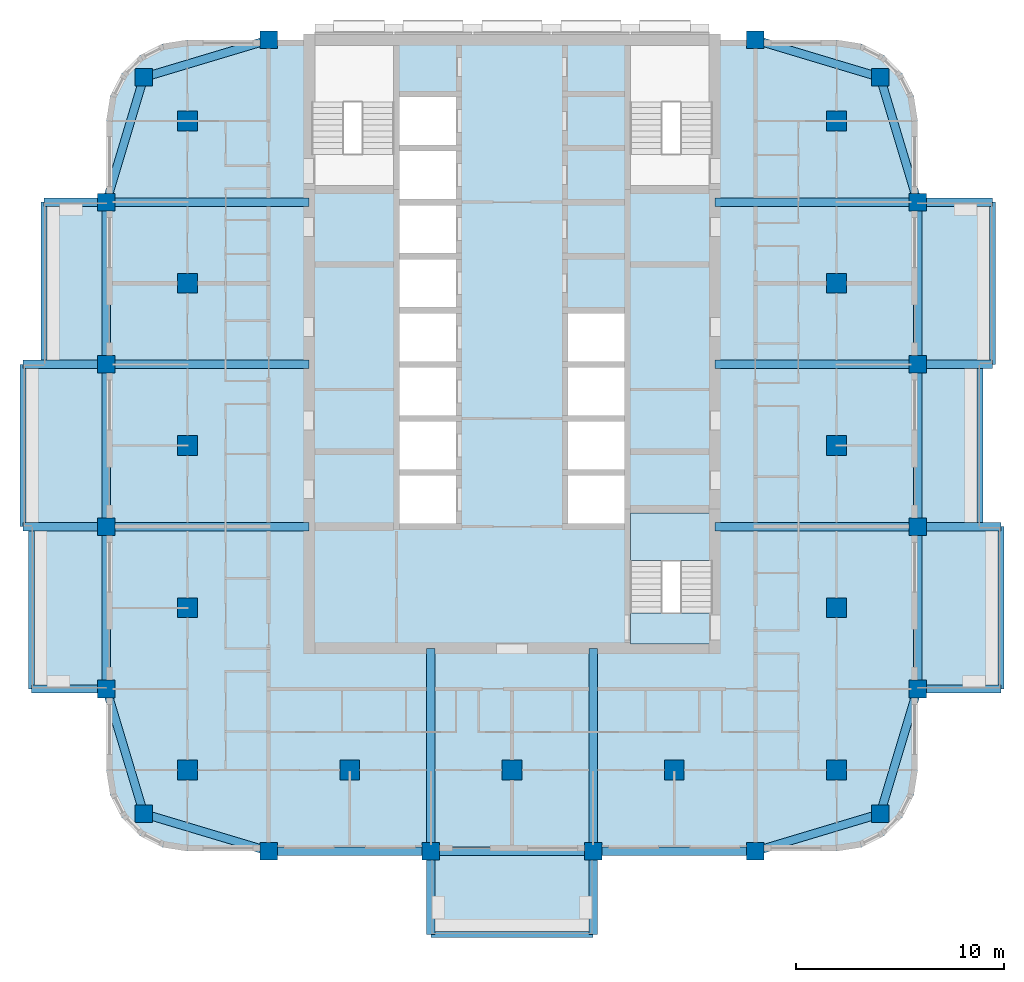
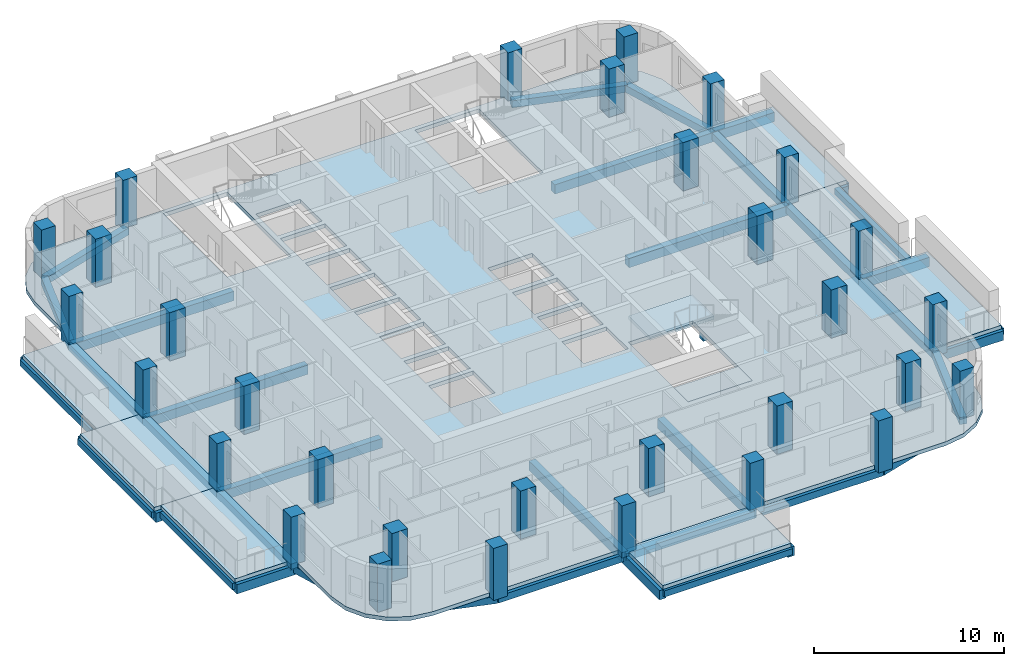
# One storey, part 1 of 14: 42 beams, 31 columns, 10 slabs, 1 element without a shape of its own.
"""IFC4 building model written with IfcOpenShell, lengths in metres."""

from ifc_helpers import new_model, si_unit, direction, frame, origin, origin_2d, place, context, subcontext, project, spatial, polyline, rectangle, outline, extrude, material, layer, layer_set, material_profile, profile_set, type_object, element, aggregate, save


model = new_model("IFC4")

# Units and contexts
model_context = context("Model", 3, precision=1e-05, world=origin(), true_north=direction((0.0, 1.0)))
body_context = subcontext(model_context, "Body", "Model", "MODEL_VIEW")
ifc_project = project(units=[si_unit("LENGTHUNIT", "METRE"), si_unit("AREAUNIT", "SQUARE_METRE"), si_unit("VOLUMEUNIT", "CUBIC_METRE"), si_unit("PLANEANGLEUNIT", "RADIAN"), si_unit("MASSUNIT", "GRAM", prefix="KILO")], contexts=[model_context])

# Site, building, storey
site_placement = place(None, origin())
site = spatial("IfcSite", under=ifc_project, at=site_placement, CompositionType="ELEMENT")
building_placement = place(site_placement, origin())
building = spatial("IfcBuilding", under=site, at=building_placement, Name="Ludao Terraces", CompositionType="ELEMENT")
storey_placement = place(building_placement, frame((0.0, 0.0, 113.5)))
storey = spatial("IfcBuildingStorey", under=building, at=storey_placement, Name="L31", CompositionType="ELEMENT", Elevation=113.5)

# Columns
ifc_material_1 = material(Name="Concrete C50", Category="concrete")
ifc_material_profile_1 = material_profile(ifc_material_1, rectangle(XDim=0.85009765625, YDim=0.85009765625, at=origin_2d()), Name="850 X 850")
ifc_profile_set_1 = profile_set([ifc_material_profile_1], Name="Concrete C50")
column_type_1 = type_object("IfcColumnType", Name="RC column 850x850 C50", PredefinedType="COLUMN", material=ifc_profile_set_1)
for number, where, z_axis, x_axis, name in (
    (1, (67.300048828125, 47.300048828125, -0.25), (0.0, 0.0, 1.0), (1.0, 0.0, 0.0), "Column L31 C0057x0057"),
    (2, (102.699951171875, 47.300048828125, -0.25), (0.0, 0.0, 1.0), (1.0, 0.0, 0.0), "Column L31 C0411x0057"),
    (3, (67.300048828125, 82.699951171875, -0.25), (0.0, 0.0, 1.0), (1.0, 0.0, 0.0), "Column L31 C0057x0411"),
    (4, (102.699951171875, 82.699951171875, -0.25), (0.0, 0.0, 1.0), (1.0, 0.0, 0.0), "Column L31 C0411x0411"),
    (5, (65.5, 53.300048828125, -0.25), (0.0, 0.0, 1.0), (1.0, 0.0, 0.0), "Column L31 W0039x0117"),
    (6, (104.5, 53.300048828125, -0.25), (0.0, 0.0, 1.0), (1.0, 0.0, 0.0), "Column L31 W0429x0117"),
    (7, (73.300048828125, 45.5, -0.25), (0.0, 0.0, 1.0), (1.0, 0.0, 0.0), "Column L31 W0117x0039"),
    (8, (73.300048828125, 84.5, -0.25), (0.0, 0.0, 1.0), (1.0, 0.0, 0.0), "Column L31 W0117x0429"),
    (9, (65.5, 61.10009765625, -0.25), (0.0, 0.0, 1.0), (1.0, 0.0, 0.0), "Column L31 W0039x0195"),
    (10, (104.5, 61.10009765625, -0.25), (0.0, 0.0, 1.0), (1.0, 0.0, 0.0), "Column L31 W0429x0195"),
    (11, (81.10009765625, 45.5, -0.25), (0.0, 0.0, 1.0), (1.0, 0.0, 0.0), "Column L31 W0195x0039"),
    (12, (65.5, 68.89990234375, -0.25), (0.0, 0.0, 1.0), (1.0, 0.0, 0.0), "Column L31 W0039x0273"),
    (13, (104.5, 68.89990234375, -0.25), (0.0, 0.0, 1.0), (1.0, 0.0, 0.0), "Column L31 W0429x0273"),
    (14, (88.89990234375, 45.5, -0.25), (0.0, 0.0, 1.0), (1.0, 0.0, 0.0), "Column L31 W0273x0039"),
    (15, (65.5, 76.699951171875, -0.25), (0.0, 0.0, 1.0), (1.0, 0.0, 0.0), "Column L31 W0039x0351"),
    (16, (104.5, 76.699951171875, -0.25), (0.0, 0.0, 1.0), (1.0, 0.0, 0.0), "Column L31 W0429x0351"),
    (17, (96.699951171875, 45.5, -0.25), (0.0, 0.0, 1.0), (1.0, 0.0, 0.0), "Column L31 W0351x0039"),
    (18, (96.699951171875, 84.5, -0.25), (0.0, 0.0, 1.0), (1.0, 0.0, 0.0), "Column L31 W0351x0429"),
):
    element("IfcColumn", number, at=place(storey_placement, frame(where, z_axis=z_axis, x_axis=x_axis)), inside=storey, type_object=column_type_1, Name=name, PredefinedType="COLUMN", context=body_context, shape_type="SweptSolid", body=[
        extrude(rectangle(XDim=0.85009765625, YDim=0.85009765625, at=origin_2d()), origin(), (0.0, 0.0, 1.0), 3.35009765625),
    ])
ifc_material_profile_2 = material_profile(ifc_material_1, rectangle(XDim=0.949951171875, YDim=0.949951171875, at=origin_2d()), Name="950 X 950")
ifc_profile_set_2 = profile_set([ifc_material_profile_2], Name="Concrete C50")
column_type_2 = type_object("IfcColumnType", Name="RC column 950x950 C50", PredefinedType="COLUMN", material=ifc_profile_set_2)
for number, where, z_axis, x_axis, name in (
    (19, (69.39990234375, 49.39990234375, -0.25), (0.0, 0.0, 1.0), (1.0, 0.0, 0.0), "Column L31 S0078x0078"),
    (20, (69.39990234375, 57.199951171875, -0.25), (0.0, 0.0, 1.0), (1.0, 0.0, 0.0), "Column L31 S0078x0156"),
    (21, (69.39990234375, 65.0, -0.25), (0.0, 0.0, 1.0), (1.0, 0.0, 0.0), "Column L31 S0078x0234"),
    (22, (69.39990234375, 72.800048828125, -0.25), (0.0, 0.0, 1.0), (1.0, 0.0, 0.0), "Column L31 S0078x0312"),
    (23, (69.39990234375, 80.60009765625, -0.25), (0.0, 0.0, 1.0), (1.0, 0.0, 0.0), "Column L31 S0078x0390"),
    (24, (77.199951171875, 49.39990234375, -0.25), (0.0, 0.0, 1.0), (1.0, 0.0, 0.0), "Column L31 S0156x0078"),
    (25, (85.0, 49.39990234375, -0.25), (0.0, 0.0, 1.0), (1.0, 0.0, 0.0), "Column L31 S0234x0078"),
    (26, (92.800048828125, 49.39990234375, -0.25), (0.0, 0.0, 1.0), (1.0, 0.0, 0.0), "Column L31 S0312x0078"),
    (27, (100.60009765625, 49.39990234375, -0.25), (0.0, 0.0, 1.0), (1.0, 0.0, 0.0), "Column L31 S0390x0078"),
    (28, (100.60009765625, 57.199951171875, -0.25), (0.0, 0.0, 1.0), (1.0, 0.0, 0.0), "Column L31 S0390x0156"),
    (29, (100.60009765625, 65.0, -0.25), (0.0, 0.0, 1.0), (1.0, 0.0, 0.0), "Column L31 S0390x0234"),
    (30, (100.60009765625, 72.800048828125, -0.25), (0.0, 0.0, 1.0), (1.0, 0.0, 0.0), "Column L31 S0390x0312"),
    (31, (100.60009765625, 80.60009765625, -0.25), (0.0, 0.0, 1.0), (1.0, 0.0, 0.0), "Column L31 S0390x0390"),
):
    element("IfcColumn", number, at=place(storey_placement, frame(where, z_axis=z_axis, x_axis=x_axis)), inside=storey, type_object=column_type_2, Name=name, PredefinedType="COLUMN", context=body_context, shape_type="SweptSolid", body=[
        extrude(rectangle(XDim=0.949951171875, YDim=0.949951171875, at=origin_2d()), origin(), (0.0, 0.0, 1.0), 3.35009765625),
    ])

# Beams
ifc_material_2 = material(Name="Concrete C40", Category="concrete")
ifc_material_profile_3 = material_profile(ifc_material_2, rectangle(XDim=0.300048828125, YDim=0.39990234375, at=origin_2d()), Name="300 X 400")
ifc_profile_set_3 = profile_set([ifc_material_profile_3], Name="Concrete C40")
beam_type_1 = type_object("IfcBeamType", Name="RC beam 300x400 C40", PredefinedType="BEAM", material=ifc_profile_set_3)
beam_1_placement = place(storey_placement, frame((81.10009765625, 41.5, -0.449951171875), z_axis=(1.0, 0.0, 0.0), x_axis=(0.0, 1.0, 0.0)))
element("IfcBeam", 32, at=beam_1_placement, inside=storey, type_object=beam_type_1, Name="Balcony edge beam L31 S1", PredefinedType="BEAM", context=body_context, shape_type="SweptSolid", body=[
    extrude(rectangle(XDim=0.300048828125, YDim=0.39990234375, at=origin_2d()), origin(), (0.0, 0.0, 1.0), 7.7998046875),
])
beam_2_placement = place(storey_placement, frame((108.5, 53.300048828125, -0.449951171875), z_axis=(0.0, 1.0, 0.0), x_axis=(-1.0, 0.0, 0.0)))
element("IfcBeam", 33, at=beam_2_placement, inside=storey, type_object=beam_type_1, Name="Balcony edge beam L31 E1", PredefinedType="BEAM", context=body_context, shape_type="SweptSolid", body=[
    extrude(rectangle(XDim=0.300048828125, YDim=0.39990234375, at=origin_2d()), origin(), (0.0, 0.0, 1.0), 7.800048828125),
])
beam_3_placement = place(storey_placement, frame((107.5, 61.10009765625, -0.449951171875), z_axis=(0.0, 1.0, 0.0), x_axis=(-1.0, 0.0, 0.0)))
element("IfcBeam", 34, at=beam_3_placement, inside=storey, type_object=beam_type_1, Name="Balcony edge beam L31 E2", PredefinedType="BEAM", context=body_context, shape_type="SweptSolid", body=[
    extrude(rectangle(XDim=0.300048828125, YDim=0.39990234375, at=origin_2d()), origin(), (0.0, 0.0, 1.0), 7.7998046875),
])
for number, where, z_axis, x_axis, name in (
    (35, (108.10009765625, 68.89990234375, -0.449951171875), (0.0, 1.0, 0.0), (-1.0, 0.0, 0.0), "Balcony edge beam L31 E3"),
    (36, (61.89990234375, 53.300048828125, -0.449951171875), (0.0, 1.0, 0.0), (-1.0, 0.0, 0.0), "Balcony edge beam L31 W1"),
):
    element("IfcBeam", number, at=place(storey_placement, frame(where, z_axis=z_axis, x_axis=x_axis)), inside=storey, type_object=beam_type_1, Name=name, PredefinedType="BEAM", context=body_context, shape_type="SweptSolid", body=[
        extrude(rectangle(XDim=0.300048828125, YDim=0.39990234375, at=origin_2d()), origin(), (0.0, 0.0, 1.0), 7.800048828125),
    ])
beam_4_placement = place(storey_placement, frame((61.5, 61.10009765625, -0.449951171875), z_axis=(0.0, 1.0, 0.0), x_axis=(-1.0, 0.0, 0.0)))
element("IfcBeam", 37, at=beam_4_placement, inside=storey, type_object=beam_type_1, Name="Balcony edge beam L31 W2", PredefinedType="BEAM", context=body_context, shape_type="SweptSolid", body=[
    extrude(rectangle(XDim=0.300048828125, YDim=0.39990234375, at=origin_2d()), origin(), (0.0, 0.0, 1.0), 7.7998046875),
])
beam_5_placement = place(storey_placement, frame((62.5, 68.89990234375, -0.449951171875), z_axis=(0.0, 1.0, 0.0), x_axis=(-1.0, 0.0, 0.0)))
element("IfcBeam", 38, at=beam_5_placement, inside=storey, type_object=beam_type_1, Name="Balcony edge beam L31 W3", PredefinedType="BEAM", context=body_context, shape_type="SweptSolid", body=[
    extrude(rectangle(XDim=0.300048828125, YDim=0.39990234375, at=origin_2d()), origin(), (0.0, 0.0, 1.0), 7.800048828125),
])
ifc_material_profile_4 = material_profile(ifc_material_2, rectangle(XDim=0.39990234375, YDim=0.449951171875, at=origin_2d()), Name="400 X 450")
ifc_profile_set_4 = profile_set([ifc_material_profile_4], Name="Concrete C40")
beam_type_2 = type_object("IfcBeamType", Name="RC beam 400x450 C40", PredefinedType="BEAM", material=ifc_profile_set_4)
beam_6_placement = place(storey_placement, frame((67.300048828125, 47.300048828125, -0.47509765625), z_axis=(0.957824139839, -0.287355036744, 0.0), x_axis=(0.287355036744, 0.957824139839, 0.0)))
element("IfcBeam", 39, at=beam_6_placement, inside=storey, type_object=beam_type_2, Name="Spandrel beam L31 S1", PredefinedType="BEAM", context=body_context, shape_type="SweptSolid", body=[
    extrude(rectangle(XDim=0.39990234375, YDim=0.449951171875, at=origin_2d()), origin(), (0.0, 0.0, 1.0), 6.26416015625),
])
beam_7_placement = place(storey_placement, frame((73.300048828125, 45.5, -0.47509765625), z_axis=(1.0, 0.0, 0.0), x_axis=(0.0, 1.0, 0.0)))
element("IfcBeam", 40, at=beam_7_placement, inside=storey, type_object=beam_type_2, Name="Spandrel beam L31 S2", PredefinedType="BEAM", context=body_context, shape_type="SweptSolid", body=[
    extrude(rectangle(XDim=0.39990234375, YDim=0.449951171875, at=origin_2d()), origin(), (0.0, 0.0, 1.0), 7.800048828125),
])
beam_8_placement = place(storey_placement, frame((81.10009765625, 45.5, -0.47509765625), z_axis=(1.0, 0.0, 0.0), x_axis=(0.0, 1.0, 0.0)))
element("IfcBeam", 41, at=beam_8_placement, inside=storey, type_object=beam_type_2, Name="Spandrel beam L31 S3", PredefinedType="BEAM", context=body_context, shape_type="SweptSolid", body=[
    extrude(rectangle(XDim=0.39990234375, YDim=0.449951171875, at=origin_2d()), origin(), (0.0, 0.0, 1.0), 7.7998046875),
])
beam_9_placement = place(storey_placement, frame((88.89990234375, 45.5, -0.47509765625), z_axis=(1.0, 0.0, 0.0), x_axis=(0.0, 1.0, 0.0)))
element("IfcBeam", 42, at=beam_9_placement, inside=storey, type_object=beam_type_2, Name="Spandrel beam L31 S4", PredefinedType="BEAM", context=body_context, shape_type="SweptSolid", body=[
    extrude(rectangle(XDim=0.39990234375, YDim=0.449951171875, at=origin_2d()), origin(), (0.0, 0.0, 1.0), 7.800048828125),
])
for number, where, z_axis, x_axis, name in (
    (43, (96.699951171875, 45.5, -0.47509765625), (0.957824139839, 0.287355036744, 0.0), (-0.287355036744, 0.957824139839, 0.0), "Spandrel beam L31 S5"),
    (44, (67.300048828125, 82.699951171875, -0.47509765625), (0.957824139839, 0.287355036744, 0.0), (-0.287355036744, 0.957824139839, 0.0), "Spandrel beam L31 N6"),
    (45, (96.699951171875, 84.5, -0.47509765625), (0.957824139839, -0.287355036744, 0.0), (0.287355036744, 0.957824139839, 0.0), "Spandrel beam L31 N7"),
    (46, (67.300048828125, 47.300048828125, -0.47509765625), (-0.287355036744, 0.957824139839, 0.0), (-0.957824139839, -0.287355036744, 0.0), "Spandrel beam L31 W8"),
):
    element("IfcBeam", number, at=place(storey_placement, frame(where, z_axis=z_axis, x_axis=x_axis)), inside=storey, type_object=beam_type_2, Name=name, PredefinedType="BEAM", context=body_context, shape_type="SweptSolid", body=[
        extrude(rectangle(XDim=0.39990234375, YDim=0.449951171875, at=origin_2d()), origin(), (0.0, 0.0, 1.0), 6.26416015625),
    ])
beam_10_placement = place(storey_placement, frame((65.5, 53.300048828125, -0.47509765625), z_axis=(0.0, 1.0, 0.0), x_axis=(-1.0, 0.0, 0.0)))
element("IfcBeam", 47, at=beam_10_placement, inside=storey, type_object=beam_type_2, Name="Spandrel beam L31 W9", PredefinedType="BEAM", context=body_context, shape_type="SweptSolid", body=[
    extrude(rectangle(XDim=0.39990234375, YDim=0.449951171875, at=origin_2d()), origin(), (0.0, 0.0, 1.0), 7.800048828125),
])
beam_11_placement = place(storey_placement, frame((65.5, 61.10009765625, -0.47509765625), z_axis=(0.0, 1.0, 0.0), x_axis=(-1.0, 0.0, 0.0)))
element("IfcBeam", 48, at=beam_11_placement, inside=storey, type_object=beam_type_2, Name="Spandrel beam L31 W10", PredefinedType="BEAM", context=body_context, shape_type="SweptSolid", body=[
    extrude(rectangle(XDim=0.39990234375, YDim=0.449951171875, at=origin_2d()), origin(), (0.0, 0.0, 1.0), 7.7998046875),
])
beam_12_placement = place(storey_placement, frame((65.5, 68.89990234375, -0.47509765625), z_axis=(0.0, 1.0, 0.0), x_axis=(-1.0, 0.0, 0.0)))
element("IfcBeam", 49, at=beam_12_placement, inside=storey, type_object=beam_type_2, Name="Spandrel beam L31 W11", PredefinedType="BEAM", context=body_context, shape_type="SweptSolid", body=[
    extrude(rectangle(XDim=0.39990234375, YDim=0.449951171875, at=origin_2d()), origin(), (0.0, 0.0, 1.0), 7.800048828125),
])
for number, where, z_axis, x_axis, name in (
    (50, (65.5, 76.699951171875, -0.47509765625), (0.287355036744, 0.957824139839, 0.0), (-0.957824139839, 0.287355036744, 0.0), "Spandrel beam L31 W12"),
    (51, (102.699951171875, 47.300048828125, -0.47509765625), (0.287355036744, 0.957824139839, 0.0), (-0.957824139839, 0.287355036744, 0.0), "Spandrel beam L31 E13"),
):
    element("IfcBeam", number, at=place(storey_placement, frame(where, z_axis=z_axis, x_axis=x_axis)), inside=storey, type_object=beam_type_2, Name=name, PredefinedType="BEAM", context=body_context, shape_type="SweptSolid", body=[
        extrude(rectangle(XDim=0.39990234375, YDim=0.449951171875, at=origin_2d()), origin(), (0.0, 0.0, 1.0), 6.26416015625),
    ])
beam_13_placement = place(storey_placement, frame((104.5, 53.300048828125, -0.47509765625), z_axis=(0.0, 1.0, 0.0), x_axis=(-1.0, 0.0, 0.0)))
element("IfcBeam", 52, at=beam_13_placement, inside=storey, type_object=beam_type_2, Name="Spandrel beam L31 E14", PredefinedType="BEAM", context=body_context, shape_type="SweptSolid", body=[
    extrude(rectangle(XDim=0.39990234375, YDim=0.449951171875, at=origin_2d()), origin(), (0.0, 0.0, 1.0), 7.800048828125),
])
beam_14_placement = place(storey_placement, frame((104.5, 61.10009765625, -0.47509765625), z_axis=(0.0, 1.0, 0.0), x_axis=(-1.0, 0.0, 0.0)))
element("IfcBeam", 53, at=beam_14_placement, inside=storey, type_object=beam_type_2, Name="Spandrel beam L31 E15", PredefinedType="BEAM", context=body_context, shape_type="SweptSolid", body=[
    extrude(rectangle(XDim=0.39990234375, YDim=0.449951171875, at=origin_2d()), origin(), (0.0, 0.0, 1.0), 7.7998046875),
])
beam_15_placement = place(storey_placement, frame((104.5, 68.89990234375, -0.47509765625), z_axis=(0.0, 1.0, 0.0), x_axis=(-1.0, 0.0, 0.0)))
element("IfcBeam", 54, at=beam_15_placement, inside=storey, type_object=beam_type_2, Name="Spandrel beam L31 E16", PredefinedType="BEAM", context=body_context, shape_type="SweptSolid", body=[
    extrude(rectangle(XDim=0.39990234375, YDim=0.449951171875, at=origin_2d()), origin(), (0.0, 0.0, 1.0), 7.800048828125),
])
beam_16_placement = place(storey_placement, frame((104.5, 76.699951171875, -0.47509765625), z_axis=(-0.287355036744, 0.957824139839, 0.0), x_axis=(-0.957824139839, -0.287355036744, 0.0)))
element("IfcBeam", 55, at=beam_16_placement, inside=storey, type_object=beam_type_2, Name="Spandrel beam L31 E17", PredefinedType="BEAM", context=body_context, shape_type="SweptSolid", body=[
    extrude(rectangle(XDim=0.39990234375, YDim=0.449951171875, at=origin_2d()), origin(), (0.0, 0.0, 1.0), 6.26416015625),
])
ifc_material_profile_5 = material_profile(ifc_material_2, rectangle(XDim=0.39990234375, YDim=0.60009765625, at=origin_2d()), Name="400 X 600")
ifc_profile_set_5 = profile_set([ifc_material_profile_5], Name="Concrete C40")
beam_type_3 = type_object("IfcBeamType", Name="RC beam 400x600 C40", PredefinedType="BEAM", material=ifc_profile_set_5)
beam_17_placement = place(storey_placement, frame((104.5, 53.300048828125, -0.550048828125), z_axis=(1.0, 0.0, 0.0), x_axis=(0.0, 1.0, 0.0)))
element("IfcBeam", 56, at=beam_17_placement, inside=storey, type_object=beam_type_3, Name="Balcony beam L31 E533", PredefinedType="BEAM", context=body_context, shape_type="SweptSolid", body=[
    extrude(rectangle(XDim=0.39990234375, YDim=0.60009765625, at=origin_2d()), origin(), (0.0, 0.0, 1.0), 4.0),
])
beam_18_placement = place(storey_placement, frame((94.75, 61.10009765625, -0.550048828125), z_axis=(1.0, 0.0, 0.0), x_axis=(0.0, 1.0, 0.0)))
element("IfcBeam", 57, at=beam_18_placement, inside=storey, type_object=beam_type_3, Name="Balcony beam L31 E611", PredefinedType="BEAM", context=body_context, shape_type="SweptSolid", body=[
    extrude(rectangle(XDim=0.39990234375, YDim=0.60009765625, at=origin_2d()), origin(), (0.0, 0.0, 1.0), 9.75),
])
beam_19_placement = place(storey_placement, frame((104.5, 61.10009765625, -0.550048828125), z_axis=(1.0, 0.0, 0.0), x_axis=(0.0, 1.0, 0.0)))
element("IfcBeam", 58, at=beam_19_placement, inside=storey, type_object=beam_type_3, Name="Balcony beam L31 E611", PredefinedType="BEAM", context=body_context, shape_type="SweptSolid", body=[
    extrude(rectangle(XDim=0.39990234375, YDim=0.60009765625, at=origin_2d()), origin(), (0.0, 0.0, 1.0), 4.0),
])
beam_20_placement = place(storey_placement, frame((94.75, 68.89990234375, -0.550048828125), z_axis=(1.0, 0.0, 0.0), x_axis=(0.0, 1.0, 0.0)))
element("IfcBeam", 59, at=beam_20_placement, inside=storey, type_object=beam_type_3, Name="Balcony beam L31 E689", PredefinedType="BEAM", context=body_context, shape_type="SweptSolid", body=[
    extrude(rectangle(XDim=0.39990234375, YDim=0.60009765625, at=origin_2d()), origin(), (0.0, 0.0, 1.0), 9.75),
])
beam_21_placement = place(storey_placement, frame((104.5, 68.89990234375, -0.550048828125), z_axis=(1.0, 0.0, 0.0), x_axis=(0.0, 1.0, 0.0)))
element("IfcBeam", 60, at=beam_21_placement, inside=storey, type_object=beam_type_3, Name="Balcony beam L31 E689", PredefinedType="BEAM", context=body_context, shape_type="SweptSolid", body=[
    extrude(rectangle(XDim=0.39990234375, YDim=0.60009765625, at=origin_2d()), origin(), (0.0, 0.0, 1.0), 3.60009765625),
])
beam_22_placement = place(storey_placement, frame((94.75, 76.699951171875, -0.550048828125), z_axis=(1.0, 0.0, 0.0), x_axis=(0.0, 1.0, 0.0)))
element("IfcBeam", 61, at=beam_22_placement, inside=storey, type_object=beam_type_3, Name="Balcony beam L31 E767", PredefinedType="BEAM", context=body_context, shape_type="SweptSolid", body=[
    extrude(rectangle(XDim=0.39990234375, YDim=0.60009765625, at=origin_2d()), origin(), (0.0, 0.0, 1.0), 9.75),
])
beam_23_placement = place(storey_placement, frame((104.5, 76.699951171875, -0.550048828125), z_axis=(1.0, 0.0, 0.0), x_axis=(0.0, 1.0, 0.0)))
element("IfcBeam", 62, at=beam_23_placement, inside=storey, type_object=beam_type_3, Name="Balcony beam L31 E767", PredefinedType="BEAM", context=body_context, shape_type="SweptSolid", body=[
    extrude(rectangle(XDim=0.39990234375, YDim=0.60009765625, at=origin_2d()), origin(), (0.0, 0.0, 1.0), 3.60009765625),
])
beam_24_placement = place(storey_placement, frame((81.10009765625, 55.25, -0.550048828125), z_axis=(0.0, -1.0, 0.0), x_axis=(1.0, 0.0, 0.0)))
element("IfcBeam", 63, at=beam_24_placement, inside=storey, type_object=beam_type_3, Name="Balcony beam L31 S811", PredefinedType="BEAM", context=body_context, shape_type="SweptSolid", body=[
    extrude(rectangle(XDim=0.39990234375, YDim=0.60009765625, at=origin_2d()), origin(), (0.0, 0.0, 1.0), 9.75),
])
beam_25_placement = place(storey_placement, frame((81.10009765625, 45.5, -0.550048828125), z_axis=(0.0, -1.0, 0.0), x_axis=(1.0, 0.0, 0.0)))
element("IfcBeam", 64, at=beam_25_placement, inside=storey, type_object=beam_type_3, Name="Balcony beam L31 S811", PredefinedType="BEAM", context=body_context, shape_type="SweptSolid", body=[
    extrude(rectangle(XDim=0.39990234375, YDim=0.60009765625, at=origin_2d()), origin(), (0.0, 0.0, 1.0), 4.0),
])
beam_26_placement = place(storey_placement, frame((88.89990234375, 55.25, -0.550048828125), z_axis=(0.0, -1.0, 0.0), x_axis=(1.0, 0.0, 0.0)))
element("IfcBeam", 65, at=beam_26_placement, inside=storey, type_object=beam_type_3, Name="Balcony beam L31 S889", PredefinedType="BEAM", context=body_context, shape_type="SweptSolid", body=[
    extrude(rectangle(XDim=0.39990234375, YDim=0.60009765625, at=origin_2d()), origin(), (0.0, 0.0, 1.0), 9.75),
])
beam_27_placement = place(storey_placement, frame((88.89990234375, 45.5, -0.550048828125), z_axis=(0.0, -1.0, 0.0), x_axis=(1.0, 0.0, 0.0)))
element("IfcBeam", 66, at=beam_27_placement, inside=storey, type_object=beam_type_3, Name="Balcony beam L31 S889", PredefinedType="BEAM", context=body_context, shape_type="SweptSolid", body=[
    extrude(rectangle(XDim=0.39990234375, YDim=0.60009765625, at=origin_2d()), origin(), (0.0, 0.0, 1.0), 4.0),
])
beam_28_placement = place(storey_placement, frame((65.5, 53.300048828125, -0.550048828125), z_axis=(-1.0, 0.0, 0.0), x_axis=(0.0, -1.0, 0.0)))
element("IfcBeam", 67, at=beam_28_placement, inside=storey, type_object=beam_type_3, Name="Balcony beam L31 W533", PredefinedType="BEAM", context=body_context, shape_type="SweptSolid", body=[
    extrude(rectangle(XDim=0.39990234375, YDim=0.60009765625, at=origin_2d()), origin(), (0.0, 0.0, 1.0), 3.60009765625),
])
beam_29_placement = place(storey_placement, frame((75.25, 61.10009765625, -0.550048828125), z_axis=(-1.0, 0.0, 0.0), x_axis=(0.0, -1.0, 0.0)))
element("IfcBeam", 68, at=beam_29_placement, inside=storey, type_object=beam_type_3, Name="Balcony beam L31 W611", PredefinedType="BEAM", context=body_context, shape_type="SweptSolid", body=[
    extrude(rectangle(XDim=0.39990234375, YDim=0.60009765625, at=origin_2d()), origin(), (0.0, 0.0, 1.0), 9.75),
])
beam_30_placement = place(storey_placement, frame((65.5, 61.10009765625, -0.550048828125), z_axis=(-1.0, 0.0, 0.0), x_axis=(0.0, -1.0, 0.0)))
element("IfcBeam", 69, at=beam_30_placement, inside=storey, type_object=beam_type_3, Name="Balcony beam L31 W611", PredefinedType="BEAM", context=body_context, shape_type="SweptSolid", body=[
    extrude(rectangle(XDim=0.39990234375, YDim=0.60009765625, at=origin_2d()), origin(), (0.0, 0.0, 1.0), 4.0),
])
beam_31_placement = place(storey_placement, frame((75.25, 68.89990234375, -0.550048828125), z_axis=(-1.0, 0.0, 0.0), x_axis=(0.0, -1.0, 0.0)))
element("IfcBeam", 70, at=beam_31_placement, inside=storey, type_object=beam_type_3, Name="Balcony beam L31 W689", PredefinedType="BEAM", context=body_context, shape_type="SweptSolid", body=[
    extrude(rectangle(XDim=0.39990234375, YDim=0.60009765625, at=origin_2d()), origin(), (0.0, 0.0, 1.0), 9.75),
])
beam_32_placement = place(storey_placement, frame((65.5, 68.89990234375, -0.550048828125), z_axis=(-1.0, 0.0, 0.0), x_axis=(0.0, -1.0, 0.0)))
element("IfcBeam", 71, at=beam_32_placement, inside=storey, type_object=beam_type_3, Name="Balcony beam L31 W689", PredefinedType="BEAM", context=body_context, shape_type="SweptSolid", body=[
    extrude(rectangle(XDim=0.39990234375, YDim=0.60009765625, at=origin_2d()), origin(), (0.0, 0.0, 1.0), 4.0),
])
beam_33_placement = place(storey_placement, frame((75.25, 76.699951171875, -0.550048828125), z_axis=(-1.0, 0.0, 0.0), x_axis=(0.0, -1.0, 0.0)))
element("IfcBeam", 72, at=beam_33_placement, inside=storey, type_object=beam_type_3, Name="Balcony beam L31 W767", PredefinedType="BEAM", context=body_context, shape_type="SweptSolid", body=[
    extrude(rectangle(XDim=0.39990234375, YDim=0.60009765625, at=origin_2d()), origin(), (0.0, 0.0, 1.0), 9.75),
])
beam_34_placement = place(storey_placement, frame((65.5, 76.699951171875, -0.550048828125), z_axis=(-1.0, 0.0, 0.0), x_axis=(0.0, -1.0, 0.0)))
element("IfcBeam", 73, at=beam_34_placement, inside=storey, type_object=beam_type_3, Name="Balcony beam L31 W767", PredefinedType="BEAM", context=body_context, shape_type="SweptSolid", body=[
    extrude(rectangle(XDim=0.39990234375, YDim=0.60009765625, at=origin_2d()), origin(), (0.0, 0.0, 1.0), 3.0),
])

# Slabs
ifc_layer_1 = layer(ifc_material_2, 0.25)
ifc_layer_set_1 = layer_set([ifc_layer_1], Name="Balcony slab 250 C40")
slab_type_1 = type_object("IfcSlabType", Name="Balcony slab 250 C40", PredefinedType="USERDEFINED", material=ifc_layer_set_1)
slab_1_placement = place(storey_placement, frame((0.0, 0.0, -0.25)))
element("IfcSlab", 74, at=slab_1_placement, inside=storey, type_object=slab_type_1, Name="Balcony L31 S1", ObjectType="BALCONY", PredefinedType="USERDEFINED", context=body_context, shape_type="SweptSolid", body=[
    extrude(outline(polyline([(81.10009765625, 41.5), (88.89990234375, 41.5), (88.89990234375, 45.5), (81.10009765625, 45.5), (81.10009765625, 41.5)])), origin(), (0.0, 0.0, 1.0), 0.25),
])
slab_2_placement = place(storey_placement, frame((0.0, 0.0, -0.25)))
element("IfcSlab", 75, at=slab_2_placement, inside=storey, type_object=slab_type_1, Name="Balcony L31 E1", ObjectType="BALCONY", PredefinedType="USERDEFINED", context=body_context, shape_type="SweptSolid", body=[
    extrude(outline(polyline([(104.5, 53.300048828125), (108.5, 53.300048828125), (108.5, 61.10009765625), (104.5, 61.10009765625), (104.5, 53.300048828125)])), origin(), (0.0, 0.0, 1.0), 0.25),
])
slab_3_placement = place(storey_placement, frame((0.0, 0.0, -0.25)))
element("IfcSlab", 76, at=slab_3_placement, inside=storey, type_object=slab_type_1, Name="Balcony L31 E2", ObjectType="BALCONY", PredefinedType="USERDEFINED", context=body_context, shape_type="SweptSolid", body=[
    extrude(outline(polyline([(104.5, 61.10009765625), (107.5, 61.10009765625), (107.5, 68.89990234375), (104.5, 68.89990234375), (104.5, 61.10009765625)])), origin(), (0.0, 0.0, 1.0), 0.25),
])
slab_4_placement = place(storey_placement, frame((0.0, 0.0, -0.25)))
element("IfcSlab", 77, at=slab_4_placement, inside=storey, type_object=slab_type_1, Name="Balcony L31 E3", ObjectType="BALCONY", PredefinedType="USERDEFINED", context=body_context, shape_type="SweptSolid", body=[
    extrude(outline(polyline([(104.5, 68.89990234375), (108.10009765625, 68.89990234375), (108.10009765625, 76.699951171875), (104.5, 76.699951171875), (104.5, 68.89990234375)])), origin(), (0.0, 0.0, 1.0), 0.25),
])
slab_5_placement = place(storey_placement, frame((0.0, 0.0, -0.25)))
element("IfcSlab", 78, at=slab_5_placement, inside=storey, type_object=slab_type_1, Name="Balcony L31 W1", ObjectType="BALCONY", PredefinedType="USERDEFINED", context=body_context, shape_type="SweptSolid", body=[
    extrude(outline(polyline([(61.89990234375, 53.300048828125), (65.5, 53.300048828125), (65.5, 61.10009765625), (61.89990234375, 61.10009765625), (61.89990234375, 53.300048828125)])), origin(), (0.0, 0.0, 1.0), 0.25),
])
slab_6_placement = place(storey_placement, frame((0.0, 0.0, -0.25)))
element("IfcSlab", 79, at=slab_6_placement, inside=storey, type_object=slab_type_1, Name="Balcony L31 W2", ObjectType="BALCONY", PredefinedType="USERDEFINED", context=body_context, shape_type="SweptSolid", body=[
    extrude(outline(polyline([(61.5, 61.10009765625), (65.5, 61.10009765625), (65.5, 68.89990234375), (61.5, 68.89990234375), (61.5, 61.10009765625)])), origin(), (0.0, 0.0, 1.0), 0.25),
])
slab_7_placement = place(storey_placement, frame((0.0, 0.0, -0.25)))
element("IfcSlab", 80, at=slab_7_placement, inside=storey, type_object=slab_type_1, Name="Balcony L31 W3", ObjectType="BALCONY", PredefinedType="USERDEFINED", context=body_context, shape_type="SweptSolid", body=[
    extrude(outline(polyline([(62.5, 68.89990234375), (65.5, 68.89990234375), (65.5, 76.699951171875), (62.5, 76.699951171875), (62.5, 68.89990234375)])), origin(), (0.0, 0.0, 1.0), 0.25),
])
ifc_layer_2 = layer(ifc_material_2, 0.25)
ifc_layer_set_2 = layer_set([ifc_layer_2], Name="Floor slab 250 C40")
slab_type_2 = type_object("IfcSlabType", Name="Floor slab 250 C40", PredefinedType="FLOOR", material=ifc_layer_set_2)
slab_8_placement = place(storey_placement, frame((0.0, 0.0, -0.25)))
element("IfcSlab", 81, at=slab_8_placement, inside=storey, type_object=slab_type_2, Name="Slab L31", PredefinedType="FLOOR", context=body_context, shape_type="SweptSolid", body=[
    extrude(outline(polyline([(100.60009765625, 45.5), (101.80517578125, 45.69091796875), (102.892333984375, 46.244873046875), (103.755126953125, 47.107666015625), (104.30908203125, 48.19482421875), (104.5, 49.39990234375), (104.5, 80.60009765625), (104.30908203125, 81.80517578125), (103.755126953125, 82.892333984375), (102.892333984375, 83.755126953125), (101.80517578125, 84.30908203125), (100.60009765625, 84.5), (69.39990234375, 84.5), (68.19482421875, 84.30908203125), (67.107666015625, 83.755126953125), (66.244873046875, 82.892333984375), (65.69091796875, 81.80517578125), (65.5, 80.60009765625), (65.5, 49.39990234375), (65.69091796875, 48.19482421875), (66.244873046875, 47.107666015625), (67.107666015625, 46.244873046875), (68.19482421875, 45.69091796875), (69.39990234375, 45.5), (100.60009765625, 45.5)]), holes=[polyline([(79.60009765625, 61.25), (82.300048828125, 61.25), (82.300048828125, 63.550048828125), (79.60009765625, 63.550048828125), (79.60009765625, 61.25)]), polyline([(79.60009765625, 63.85009765625), (82.300048828125, 63.85009765625), (82.300048828125, 66.14990234375), (79.60009765625, 66.14990234375), (79.60009765625, 63.85009765625)]), polyline([(79.60009765625, 66.449951171875), (82.300048828125, 66.449951171875), (82.300048828125, 68.75), (79.60009765625, 68.75), (79.60009765625, 66.449951171875)]), polyline([(79.60009765625, 69.050048828125), (82.300048828125, 69.050048828125), (82.300048828125, 71.35009765625), (79.60009765625, 71.35009765625), (79.60009765625, 69.050048828125)]), polyline([(79.60009765625, 71.64990234375), (82.300048828125, 71.64990234375), (82.300048828125, 73.949951171875), (79.60009765625, 73.949951171875), (79.60009765625, 71.64990234375)]), polyline([(79.60009765625, 74.25), (82.300048828125, 74.25), (82.300048828125, 76.550048828125), (79.60009765625, 76.550048828125), (79.60009765625, 74.25)]), polyline([(79.60009765625, 76.85009765625), (82.300048828125, 76.85009765625), (82.300048828125, 79.14990234375), (79.60009765625, 79.14990234375), (79.60009765625, 76.85009765625)]), polyline([(79.60009765625, 79.449951171875), (82.300048828125, 79.449951171875), (82.300048828125, 81.75), (79.60009765625, 81.75), (79.60009765625, 79.449951171875)]), polyline([(87.699951171875, 61.25), (90.39990234375, 61.25), (90.39990234375, 63.550048828125), (87.699951171875, 63.550048828125), (87.699951171875, 61.25)]), polyline([(87.699951171875, 63.85009765625), (90.39990234375, 63.85009765625), (90.39990234375, 66.14990234375), (87.699951171875, 66.14990234375), (87.699951171875, 63.85009765625)]), polyline([(87.699951171875, 66.449951171875), (90.39990234375, 66.449951171875), (90.39990234375, 68.75), (87.699951171875, 68.75), (87.699951171875, 66.449951171875)]), polyline([(87.699951171875, 69.050048828125), (90.39990234375, 69.050048828125), (90.39990234375, 71.35009765625), (87.699951171875, 71.35009765625), (87.699951171875, 69.050048828125)]), polyline([(75.39990234375, 77.5), (79.300048828125, 77.5), (79.300048828125, 84.239990234375), (75.39990234375, 84.239990234375), (75.39990234375, 77.5)]), polyline([(90.699951171875, 77.5), (94.60009765625, 77.5), (94.60009765625, 84.239990234375), (90.699951171875, 84.239990234375), (90.699951171875, 77.5)]), polyline([(90.699951171875, 55.449951171875), (94.60009765625, 55.449951171875), (94.60009765625, 61.75), (90.699951171875, 61.75), (90.699951171875, 55.449951171875)])]), origin(), (0.0, 0.0, 1.0), 0.25),
])

# Stair, slabs
stair_type = type_object("IfcStairType", Name="INT Stair", PredefinedType="HALF_TURN_STAIR", material=ifc_material_2)
stair_placement = place(storey_placement, origin())
stair = element("IfcStair", 82, at=stair_placement, inside=storey, type_object=stair_type, Name="EXIT STAIR 3", PredefinedType="HALF_TURN_STAIR")
ifc_layer_3 = layer(ifc_material_2, 0.199951171875)
ifc_layer_set_3 = layer_set([ifc_layer_3], Name="INT Stair landing 200")
slab_type_3 = type_object("IfcSlabType", Name="INT Stair landing 200", PredefinedType="LANDING", material=ifc_layer_set_3)
slab_9_placement = place(storey_placement, frame((0.0, 0.0, 1.5)))
slab_9 = element("IfcSlab", 83, at=slab_9_placement, type_object=slab_type_3, Name="ST3 landing 1", PredefinedType="LANDING", context=body_context, shape_type="SweptSolid", body=[
    extrude(outline(polyline([(90.699951171875, 59.469970703125), (94.60009765625, 59.469970703125), (94.60009765625, 61.75), (90.699951171875, 61.75), (90.699951171875, 59.469970703125)])), origin(), (0.0, 0.0, 1.0), 0.199951171875),
])
slab_10_placement = place(storey_placement, frame((0.0, 0.0, -0.199951171875)))
slab_10 = element("IfcSlab", 84, at=slab_10_placement, type_object=slab_type_3, Name="ST3 landing 2", PredefinedType="LANDING", context=body_context, shape_type="SweptSolid", body=[
    extrude(outline(polyline([(90.699951171875, 55.449951171875), (94.60009765625, 55.449951171875), (94.60009765625, 56.949951171875), (90.699951171875, 56.949951171875), (90.699951171875, 55.449951171875)])), origin(), (0.0, 0.0, 1.0), 0.199951171875),
])
aggregate(stair, [slab_9, slab_10])

save(model, "model.ifc")
